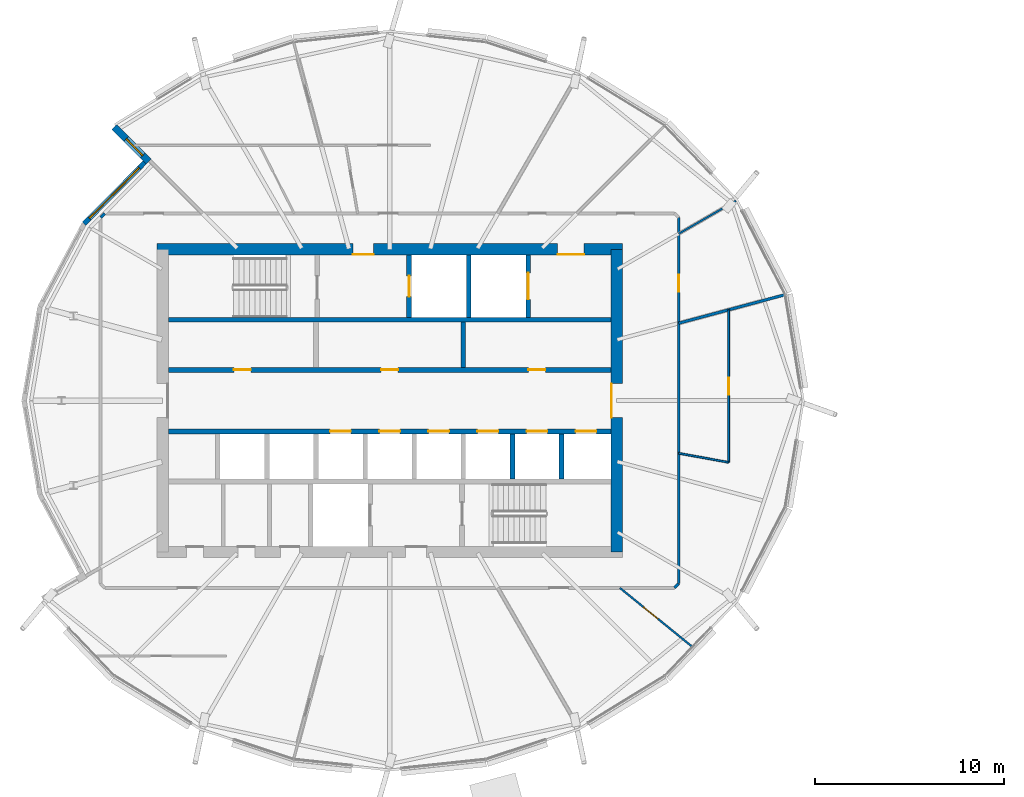
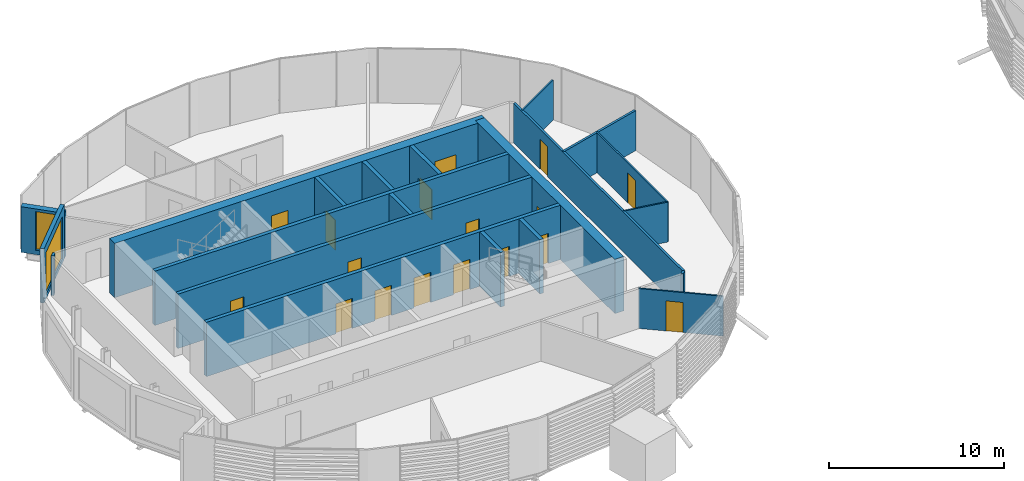
# One storey, part 20 of 38: 21 walls, 17 doors, 2 windows, 19 openings.
"""IFC4 building model written with IfcOpenShell, lengths in metres."""

import ifcopenshell
import ifcopenshell.guid

model = None  # the IFC model being written
_history = None  # IfcOwnerHistory: only IFC2X3 demands one
_inside = {}  # id of a spatial element -> (the spatial element, [elements in it])
_under = {}  # id of a project, library or spatial element -> (it, [spatial elements below it])
_declared = {}  # id of a project -> (the project, [libraries it declares])
_typed = {}  # id of a type object -> (the type object, [elements of that type])
_made_of = {}  # id of a material, layer set ... -> (it, [elements and type objects made of it])


def new_model(schema):
    """Start an empty IFC model of exactly this schema.

    Asked for "IFC4X3", IfcOpenShell would pick the latest addendum, in which some entities
    have other attributes; the version numbers below select the first issue.
    IFC2X3 requires an IfcOwnerHistory on every rooted entity: one is made here for all.
    """
    global model, _history
    if schema == "IFC4X3":
        model = ifcopenshell.file(schema_version=(4, 3, 0, 0))
    else:
        model = ifcopenshell.file(schema=schema)
    _inside.clear()
    _under.clear()
    _declared.clear()
    _typed.clear()
    _made_of.clear()
    _history = None
    if model.schema == "IFC2X3":
        org = make("IfcOrganization", Name="unknown")
        user = make(
            "IfcPersonAndOrganization",
            ThePerson=make("IfcPerson", FamilyName="unknown"),
            TheOrganization=org,
        )
        app = make(
            "IfcApplication",
            ApplicationDeveloper=org,
            Version="unknown",
            ApplicationFullName="unknown",
            ApplicationIdentifier="unknown",
        )
        _history = make(
            "IfcOwnerHistory",
            OwningUser=user,
            OwningApplication=app,
            ChangeAction="ADDED",
            CreationDate=0,
        )
    return model


def make(cls, **values):
    """One entity of the class cls with the attributes given. An attribute that is None is left unset."""
    return model.create_entity(
        cls, **{name: value for name, value in values.items() if value is not None}
    )


def rooted(cls, **values):
    """An entity with a GlobalId (a new one), such as an element, a storey or a relation."""
    return make(cls, GlobalId=ifcopenshell.guid.new(), OwnerHistory=_history, **values)


def si_unit(unit_type, name, prefix=None):
    """IfcSIUnit, for example si_unit("LENGTHUNIT", "METRE", prefix="MILLI")."""
    return make("IfcSIUnit", UnitType=unit_type, Prefix=prefix, Name=name)


def assignment(units):
    """IfcUnitAssignment: the units of a project."""
    return None if units is None else make("IfcUnitAssignment", Units=units)


def point(xyz):
    """IfcCartesianPoint."""
    return None if xyz is None else make("IfcCartesianPoint", Coordinates=xyz)


def direction(xyz):
    """IfcDirection."""
    return None if xyz is None else make("IfcDirection", DirectionRatios=xyz)


def frame(location, z_axis=None, x_axis=None):
    """IfcAxis2Placement3D, a coordinate frame: its origin and axes. An axis left out is left unset."""
    return make(
        "IfcAxis2Placement3D",
        Location=point(location),
        Axis=direction(z_axis),
        RefDirection=direction(x_axis),
    )


def frame_2d(location, x_axis=None):
    """IfcAxis2Placement2D, a coordinate frame in the plane: its origin and x axis."""
    return make(
        "IfcAxis2Placement2D", Location=point(location), RefDirection=direction(x_axis)
    )


def origin():
    """The frame at (0, 0, 0) with its axes left unset."""
    return frame((0.0, 0.0, 0.0))


def place(relative_to, where):
    """IfcLocalPlacement: puts the frame where relative to a parent placement (None: the world)."""
    return make(
        "IfcLocalPlacement", PlacementRelTo=relative_to, RelativePlacement=where
    )


def context(
    kind, dimensions, precision=None, world=None, true_north=None, identifier=None
):
    """IfcGeometricRepresentationContext, for example the 3D "Model" context."""
    return make(
        "IfcGeometricRepresentationContext",
        ContextIdentifier=identifier,
        ContextType=kind,
        CoordinateSpaceDimension=dimensions,
        Precision=precision,
        WorldCoordinateSystem=world,
        TrueNorth=true_north,
    )


def subcontext(parent, identifier, kind, view, scale=None):
    """IfcGeometricRepresentationSubContext, for example "Body" below "Model"."""
    return make(
        "IfcGeometricRepresentationSubContext",
        ContextIdentifier=identifier,
        ContextType=kind,
        ParentContext=parent,
        TargetScale=scale,
        TargetView=view,
    )


def project(units=None, contexts=None):
    """IfcProject with its units and contexts."""
    return rooted(
        "IfcProject",
        Name="project",
        RepresentationContexts=contexts,
        UnitsInContext=assignment(units),
    )


def spatial(cls, under=None, at=None, **own):
    """A site, building, storey or space (cls), placed at a placement, below another one or the project."""
    s = rooted(cls, ObjectPlacement=at, **own)
    if under is not None:
        _under.setdefault(under.id(), (under, []))[1].append(s)
    return s


def profile(cls, at=None, kind="AREA", **sizes):
    """A parametric profile (cls). Its sizes go by their IFC names, for example OverallWidth=200.0."""
    return make(cls, ProfileType=kind, Position=at, **sizes)


def rectangle(**sizes):
    """IfcRectangleProfileDef."""
    return profile("IfcRectangleProfileDef", **sizes)


def extrude(swept, where, along, depth):
    """IfcExtrudedAreaSolid: the profile swept, set in the frame where, extruded along a direction by depth."""
    return make(
        "IfcExtrudedAreaSolid",
        SweptArea=swept,
        Position=where,
        ExtrudedDirection=direction(along),
        Depth=depth,
    )


def shape(context_of_items, identifier, shape_type, items):
    """IfcShapeRepresentation: the items that make up one representation, for example the "Body"."""
    return make(
        "IfcShapeRepresentation",
        ContextOfItems=context_of_items,
        RepresentationIdentifier=identifier,
        RepresentationType=shape_type,
        Items=items,
    )


def material(Name=None, Category=None):
    """IfcMaterial."""
    return make("IfcMaterial", Name=Name, Category=Category)


def layer(
    of_material, thickness, ventilated=None, Name=None, Category=None, Priority=None
):
    """IfcMaterialLayer: one layer of a wall or slab, of a material (None: an air gap)."""
    return make(
        "IfcMaterialLayer",
        Material=of_material,
        LayerThickness=thickness,
        IsVentilated=ventilated,
        Name=Name,
        Category=Category,
        Priority=Priority,
    )


def layer_set(layers, Name=None):
    """IfcMaterialLayerSet."""
    return make("IfcMaterialLayerSet", MaterialLayers=layers, LayerSetName=Name)


def made_of(thing, what):
    """Note that an element or type object is made of a material, layer set ...; save() writes the relation."""
    if what is not None:
        _made_of.setdefault(what.id(), (what, []))[1].append(thing)
    return thing


def type_object(cls, material=None, **own):
    """A type object (cls), such as IfcWallType, which elements share."""
    return made_of(rooted(cls, **own), material)


def element(
    cls,
    number,
    at=None,
    inside=None,
    cuts=None,
    type_object=None,
    material=None,
    context=None,
    identifier="Body",
    shape_type=None,
    held_by="IfcProductDefinitionShape",
    body=None,
    shapes=None,
    **own,
):
    """One element of the class cls, such as IfcWall. Its Tag is "e" and its number.

    at: its placement. inside: the storey or other place that contains it. cuts: it is an
    opening in that element (IfcRelVoidsElement). A single representation is given by context,
    identifier, shape_type and body (its items); several are given by shapes. held_by: the class
    of the entity that holds the representations. save() writes the other relations.
    """
    e = rooted(cls, Tag="e%d" % number, ObjectPlacement=at, **own)
    if body is not None:
        shapes = [shape(context, identifier, shape_type, body)]
    if shapes is not None:
        e.Representation = make(held_by, Representations=shapes)
    if inside is not None:
        _inside.setdefault(inside.id(), (inside, []))[1].append(e)
    if cuts is not None:
        rooted(
            "IfcRelVoidsElement", RelatingBuildingElement=cuts, RelatedOpeningElement=e
        )
    if type_object is not None:
        _typed.setdefault(type_object.id(), (type_object, []))[1].append(e)
    return made_of(e, material)


def fill(opening, filler):
    """IfcRelFillsElement: the door or window that sits in an opening."""
    return rooted(
        "IfcRelFillsElement",
        RelatingOpeningElement=opening,
        RelatedBuildingElement=filler,
    )


def aggregate(whole, parts):
    """IfcRelAggregates: a whole, such as a stair, and the parts it consists of."""
    return rooted("IfcRelAggregates", RelatingObject=whole, RelatedObjects=parts)


def save(model, path):
    """Write the relations noted so far, then the file.

    IfcRelAggregates (storeys below a building ...), IfcRelContainedInSpatialStructure (elements
    in a storey), IfcRelDefinesByType, IfcRelAssociatesMaterial and IfcRelDeclares: one each for
    every whole, place, type object, material and project.
    """
    for whole, parts in _under.values():
        aggregate(whole, parts)
    for where, things in _inside.values():
        rooted(
            "IfcRelContainedInSpatialStructure",
            RelatedElements=things,
            RelatingStructure=where,
        )
    for kind, things in _typed.values():
        rooted("IfcRelDefinesByType", RelatedObjects=things, RelatingType=kind)
    for what, things in _made_of.values():
        rooted("IfcRelAssociatesMaterial", RelatedObjects=things, RelatingMaterial=what)
    for by, libraries in _declared.values():
        rooted("IfcRelDeclares", RelatingContext=by, RelatedDefinitions=libraries)
    model.write(path)


model = new_model("IFC4")

# Units and contexts
model_context = context("Model", 3, precision=1e-05, world=origin(), true_north=direction((0.0, 1.0)))
body_context = subcontext(model_context, "Body", "Model", "MODEL_VIEW")
ifc_project = project(units=[si_unit("LENGTHUNIT", "METRE"), si_unit("AREAUNIT", "SQUARE_METRE"), si_unit("VOLUMEUNIT", "CUBIC_METRE"), si_unit("PLANEANGLEUNIT", "RADIAN"), si_unit("MASSUNIT", "GRAM", prefix="KILO")], contexts=[model_context])

# Site, building, storey
site_placement = place(None, origin())
site = spatial("IfcSite", under=ifc_project, at=site_placement, CompositionType="ELEMENT")
building_placement = place(site_placement, origin())
building = spatial("IfcBuilding", under=site, at=building_placement, Name="Rimbun Link Towers", CompositionType="ELEMENT")
storey_placement = place(building_placement, frame((0.0, 0.0, 185.5)))
storey = spatial("IfcBuildingStorey", under=building, at=storey_placement, Name="L45", CompositionType="ELEMENT", Elevation=185.5)

# Wall, opening, window
ifc_material_1 = material(Name="Dark enamelled glass spandrel on insulated aluminium backpan", Category="aluminium")
ifc_layer_1 = layer(ifc_material_1, 0.25)
ifc_layer_set_1 = layer_set([ifc_layer_1], Name="CS dark enamelled spandrel wall 250")
wall_type_1 = type_object("IfcWallType", Name="CS dark enamelled spandrel wall 250", PredefinedType="STANDARD", material=ifc_layer_set_1)
wall_1_placement = place(storey_placement, frame((-47.9072265625, 9.344482421875, 0.0), z_axis=(0.0, 0.0, 1.0), x_axis=(0.703167111014, 0.711024622631, 0.0)))
wall_1 = element("IfcWall", 1, at=wall_1_placement, inside=storey, type_object=wall_type_1, Name="Crease spandrel wall", PredefinedType="STANDARD", context=body_context, shape_type="SweptSolid", body=[
    extrude(rectangle(XDim=4.5673828125, YDim=0.25, at=frame_2d((2.28369140625, 0.0))), origin(), (0.0, 0.0, 1.0), 3.800048828125),
])
opening_1_placement = place(wall_1_placement, frame((0.40869140625, 0.0, 0.300048828125)))
opening_1 = element("IfcOpeningElement", 2, at=opening_1_placement, cuts=wall_1, Name="Opening WR38H295", PredefinedType="OPENING", context=body_context, shape_type="SweptSolid", body=[
    extrude(rectangle(XDim=3.75, YDim=2.949951171875, at=frame_2d((1.875, 1.47509765625))), frame((0.0, 0.135009765625, 0.0), z_axis=(0.0, -1.0, 0.0), x_axis=(1.0, 0.0, 0.0)), (0.0, 0.0, 1.0), 0.27001953125),
])
ifc_material_2 = material(Name="Aluminium framed fixed window, dark tinted low-e glass", Category="aluminium")
window_type_1 = type_object("IfcWindowType", Name="WR ribbon window 3750X2950", PartitioningType="SINGLE_PANEL", PredefinedType="WINDOW", material=ifc_material_2)
window_1_placement = place(opening_1_placement, origin())
window_1 = element("IfcWindow", 3, at=window_1_placement, inside=storey, type_object=window_type_1, Name="Crease ribbon window", OverallHeight=2.949951171875, OverallWidth=3.75, PartitioningType="SINGLE_PANEL", PredefinedType="WINDOW", context=body_context, shape_type="SweptSolid", body=[
    extrude(rectangle(XDim=3.75, YDim=2.949951171875, at=frame_2d((1.875, 1.47509765625))), frame((0.0, 0.030029296875, 0.0), z_axis=(0.0, -1.0, 0.0), x_axis=(1.0, 0.0, 0.0)), (0.0, 0.0, 1.0), 0.06005859375),
])
fill(opening_1, window_1)

ifc_material_3 = material(Name="Dark enamelled glass spandrel on insulated aluminium backpan", Category="aluminium")
ifc_layer_2 = layer(ifc_material_3, 0.3701171875)
ifc_layer_set_2 = layer_set([ifc_layer_2], Name="CS dark enamelled spandrel wall 370")
wall_type_2 = type_object("IfcWallType", Name="CS dark enamelled spandrel wall 370", PredefinedType="STANDARD", material=ifc_layer_set_2)
wall_2_placement = place(storey_placement, frame((-44.477294921875, 12.63525390625, 0.0), z_axis=(0.0, 0.0, 1.0), x_axis=(-0.707059465667, 0.70715409354, 0.0)))
wall_2 = element("IfcWall", 4, at=wall_2_placement, inside=storey, type_object=wall_type_2, Name="Crease spandrel wall", PredefinedType="STANDARD", context=body_context, shape_type="SweptSolid", body=[
    extrude(rectangle(XDim=2.580078125, YDim=0.3701171875, at=frame_2d((1.2900390625, 0.0))), origin(), (0.0, 0.0, 1.0), 3.1865234375),
])
opening_2_placement = place(wall_2_placement, frame((0.447265625, 0.0, 0.300048828125)))
opening_2 = element("IfcOpeningElement", 5, at=opening_2_placement, cuts=wall_2, Name="Opening WR12H270", PredefinedType="OPENING", context=body_context, shape_type="SweptSolid", body=[
    extrude(rectangle(XDim=1.25, YDim=2.699951171875, at=frame_2d((0.625, 1.35009765625))), frame((0.0, 0.195068359375, 0.0), z_axis=(0.0, -1.0, 0.0), x_axis=(1.0, 0.0, 0.0)), (0.0, 0.0, 1.0), 0.39013671875),
])
ifc_material_4 = material(Name="Aluminium framed fixed window, dark tinted low-e glass", Category="aluminium")
window_type_2 = type_object("IfcWindowType", Name="WR ribbon window 1250X2700", PartitioningType="SINGLE_PANEL", PredefinedType="WINDOW", material=ifc_material_4)
window_2_placement = place(opening_2_placement, origin())
window_2 = element("IfcWindow", 6, at=window_2_placement, inside=storey, type_object=window_type_2, Name="Crease ribbon window", OverallHeight=2.699951171875, OverallWidth=1.25, PartitioningType="SINGLE_PANEL", PredefinedType="WINDOW", context=body_context, shape_type="SweptSolid", body=[
    extrude(rectangle(XDim=1.25, YDim=2.699951171875, at=frame_2d((0.625, 1.35009765625))), frame((0.0, 0.030029296875, 0.0), z_axis=(0.0, -1.0, 0.0), x_axis=(1.0, 0.0, 0.0)), (0.0, 0.0, 1.0), 0.06005859375),
])
fill(opening_2, window_2)

# Wall, openings, doors
ifc_material_5 = material(Name="Concrete C60/75", Category="concrete")
ifc_layer_3 = layer(ifc_material_5, 0.60009765625)
ifc_layer_set_3 = layer_set([ifc_layer_3], Name="Core shear wall 600")
wall_type_3 = type_object("IfcWallType", Name="Core shear wall 600", PredefinedType="SHEAR", material=ifc_layer_set_3)
wall_3_placement = place(storey_placement, frame((-44.050048828125, 8.0, 0.0), z_axis=(0.0, 0.0, 1.0), x_axis=(1.0, 0.0, 0.0)))
wall_3 = element("IfcWall", 7, at=wall_3_placement, inside=storey, type_object=wall_type_3, Name="L45 T1 core wall N", PredefinedType="SHEAR", context=body_context, shape_type="SweptSolid", body=[
    extrude(rectangle(XDim=24.60009765625, YDim=0.60009765625, at=frame_2d((12.300048828125, 0.0))), origin(), (0.0, 0.0, 1.0), 3.800048828125),
])
opening_3_placement = place(wall_3_placement, frame((10.35009765625, 0.0, 0.0)))
opening_3 = element("IfcOpeningElement", 8, at=opening_3_placement, cuts=wall_3, Name="Opening C1DCF01N", PredefinedType="OPENING", context=body_context, shape_type="SweptSolid", body=[
    extrude(rectangle(XDim=1.10009765625, YDim=2.10009765625, at=frame_2d((0.550048828125, 1.050048828125))), frame((0.0, 0.31005859375, 0.0), z_axis=(0.0, -1.0, 0.0), x_axis=(1.0, 0.0, 0.0)), (0.0, 0.0, 1.0), 0.6201171875),
])
opening_4_placement = place(wall_3_placement, frame((21.175048828125, 0.0, 0.0)))
opening_4 = element("IfcOpeningElement", 9, at=opening_4_placement, cuts=wall_3, Name="Opening C1DSL02N", PredefinedType="OPENING", context=body_context, shape_type="SweptSolid", body=[
    extrude(rectangle(XDim=1.39990234375, YDim=2.10009765625, at=frame_2d((0.699951171875, 1.050048828125))), frame((0.0, 0.31005859375, 0.0), z_axis=(0.0, -1.0, 0.0), x_axis=(1.0, 0.0, 0.0)), (0.0, 0.0, 1.0), 0.6201171875),
])
ifc_material_6 = material(Name="Steel fire door set", Category="steel")
door_type_1 = type_object("IfcDoorType", Name="Core fire door single", OperationType="SINGLE_SWING_LEFT", PredefinedType="DOOR", material=ifc_material_6)
door_1_placement = place(opening_3_placement, origin())
door_1 = element("IfcDoor", 10, at=door_1_placement, inside=storey, type_object=door_type_1, Name="L45 T1 firefighting lobby n door", OperationType="SINGLE_SWING_RIGHT", OverallHeight=2.10009765625, OverallWidth=1.10009765625, PredefinedType="DOOR", context=body_context, shape_type="SweptSolid", body=[
    extrude(rectangle(XDim=1.10009765625, YDim=2.10009765625, at=frame_2d((0.550048828125, 1.050048828125))), frame((0.0, -0.25, 0.0), z_axis=(0.0, -1.0, 0.0), x_axis=(1.0, 0.0, 0.0)), (0.0, 0.0, 1.0), 0.050048828125),
])
fill(opening_3, door_1)
ifc_material_7 = material(Name="Steel fire door set", Category="steel")
door_type_2 = type_object("IfcDoorType", Name="Service lobby door double", OperationType="DOUBLE_DOOR_SINGLE_SWING", PredefinedType="DOOR", material=ifc_material_7)
door_2_placement = place(opening_4_placement, origin())
door_2 = element("IfcDoor", 11, at=door_2_placement, inside=storey, type_object=door_type_2, Name="L45 T1 service lobby door", OperationType="DOUBLE_DOOR_SINGLE_SWING", OverallHeight=2.10009765625, OverallWidth=1.39990234375, PredefinedType="DOOR", context=body_context, shape_type="SweptSolid", body=[
    extrude(rectangle(XDim=1.39990234375, YDim=2.10009765625, at=frame_2d((0.699951171875, 1.050048828125))), frame((0.0, -0.25, 0.0), z_axis=(0.0, -1.0, 0.0), x_axis=(1.0, 0.0, 0.0)), (0.0, 0.0, 1.0), 0.050048828125),
])
fill(opening_4, door_2)

# Wall, opening, door
wall_4_placement = place(storey_placement, frame((-19.75, -8.0, 0.0), z_axis=(0.0, 0.0, 1.0), x_axis=(0.0, 1.0, 0.0)))
wall_4 = element("IfcWall", 12, at=wall_4_placement, inside=storey, type_object=wall_type_3, Name="L45 T1 core wall E", PredefinedType="SHEAR", context=body_context, shape_type="SweptSolid", body=[
    extrude(rectangle(XDim=16.0, YDim=0.60009765625, at=frame_2d((8.0, 0.0))), origin(), (0.0, 0.0, 1.0), 3.800048828125),
])
opening_5_placement = place(wall_4_placement, frame((7.10009765625, 0.0, 0.0)))
opening_5 = element("IfcOpeningElement", 13, at=opening_5_placement, cuts=wall_4, Name="Opening C1DCL01E", PredefinedType="OPENING", context=body_context, shape_type="SweptSolid", body=[
    extrude(rectangle(XDim=1.800048828125, YDim=2.10009765625, at=frame_2d((0.89990234375, 1.050048828125))), frame((0.0, 0.31005859375, 0.0), z_axis=(0.0, -1.0, 0.0), x_axis=(1.0, 0.0, 0.0)), (0.0, 0.0, 1.0), 0.6201171875),
])
ifc_material_8 = material(Name="Steel fire door set", Category="steel")
door_type_3 = type_object("IfcDoorType", Name="Core lobby door double", OperationType="DOUBLE_DOOR_SINGLE_SWING", PredefinedType="DOOR", material=ifc_material_8)
door_3_placement = place(opening_5_placement, origin())
door_3 = element("IfcDoor", 14, at=door_3_placement, inside=storey, type_object=door_type_3, Name="L45 T1 lift lobby door", OperationType="DOUBLE_DOOR_SINGLE_SWING", OverallHeight=2.10009765625, OverallWidth=1.800048828125, PredefinedType="DOOR", context=body_context, shape_type="SweptSolid", body=[
    extrude(rectangle(XDim=1.800048828125, YDim=2.10009765625, at=frame_2d((0.89990234375, 1.050048828125))), frame((0.0, 0.2998046875, 0.0), z_axis=(0.0, -1.0, 0.0), x_axis=(1.0, 0.0, 0.0)), (0.0, 0.0, 1.0), 0.050048828125),
])
fill(opening_5, door_3)

ifc_material_9 = material(Name="Plasterboard on steel stud, mineral wool", Category="steel")
ifc_layer_4 = layer(ifc_material_9, 0.14990234375)
ifc_layer_set_4 = layer_set([ifc_layer_4], Name="Corridor wall EI 30 150 mm")
wall_type_4 = type_object("IfcWallType", Name="Corridor wall EI 30 150 mm", PredefinedType="PARTITIONING", material=ifc_layer_set_4)
wall_5_placement = place(storey_placement, frame((-16.47509765625, 9.673583984375, 0.0), z_axis=(0.0, 0.0, 1.0), x_axis=(0.0, -1.0, 0.0)))
wall_5 = element("IfcWall", 15, at=wall_5_placement, inside=storey, type_object=wall_type_4, Name="Corridor wall EI 30 150 mm", PredefinedType="PARTITIONING", context=body_context, shape_type="SweptSolid", body=[
    extrude(rectangle(XDim=19.34716796875, YDim=0.14990234375, at=frame_2d((9.673583984375, 0.0))), origin(), (0.0, 0.0, 1.0), 2.7890625),
])
opening_6_placement = place(wall_5_placement, frame((3.01220703125, 0.0, 0.0)))
opening_6 = element("IfcOpeningElement", 16, at=opening_6_placement, cuts=wall_5, Name="Opening D02", PredefinedType="OPENING", context=body_context, shape_type="SweptSolid", body=[
    extrude(rectangle(XDim=0.89990234375, YDim=2.10009765625, at=frame_2d((0.449951171875, 1.050048828125))), frame((0.0, 0.0849609375, 0.0), z_axis=(0.0, -1.0, 0.0), x_axis=(1.0, 0.0, 0.0)), (0.0, 0.0, 1.0), 0.169921875),
])
ifc_material_10 = material(Name="Fire-resisting timber door leaf", Category="wood")
door_type_4 = type_object("IfcDoorType", Name="Fire door FD30S 900", OperationType="NOTDEFINED", PredefinedType="DOOR", material=ifc_material_10)
door_4_placement = place(opening_6_placement, origin())
door_4 = element("IfcDoor", 17, at=door_4_placement, inside=storey, type_object=door_type_4, Name="Fire door FD30S 900 to Cellular office", OperationType="SINGLE_SWING_LEFT", OverallHeight=2.10009765625, OverallWidth=0.89990234375, PredefinedType="DOOR", context=body_context, shape_type="SweptSolid", body=[
    extrude(rectangle(XDim=0.89990234375, YDim=2.10009765625, at=frame_2d((0.449951171875, 1.050048828125))), frame((0.0, 0.02490234375, 0.0), z_axis=(0.0, -1.0, 0.0), x_axis=(1.0, 0.0, 0.0)), (0.0, 0.0, 1.0), 0.050048828125),
])
fill(opening_6, door_4)

# Walls
for number, where, z_axis, x_axis, name in (
    (18, (-16.6962890625, -9.89501953125, 0.0), (0.0, 0.0, 1.0), (0.706716653396, 0.707496693853, 0.0), "Corridor wall EI 30 150 mm"),
    (19, (-46.8037109375, 9.89501953125, 0.0), (0.0, 0.0, 1.0), (-0.706716653396, -0.707496693853, 0.0), "Corridor wall EI 30 150 mm"),
):
    element("IfcWall", number, at=place(storey_placement, frame(where, z_axis=z_axis, x_axis=x_axis)), inside=storey, type_object=wall_type_4, Name=name, PredefinedType="PARTITIONING", context=body_context, shape_type="SweptSolid", body=[
        extrude(rectangle(XDim=0.31298828125, YDim=0.14990234375, at=frame_2d((0.156494140625, 0.0))), origin(), (0.0, 0.0, 1.0), 2.7890625),
    ])

# Wall, opening, door
ifc_material_11 = material(Name="Plasterboard on steel stud", Category="steel")
ifc_layer_5 = layer(ifc_material_11, 0.10009765625)
ifc_layer_set_5 = layer_set([ifc_layer_5], Name="Plasterboard partition 100 mm")
wall_type_5 = type_object("IfcWallType", Name="Plasterboard partition 100 mm", PredefinedType="PARTITIONING", material=ifc_layer_set_5)
wall_6_placement = place(storey_placement, frame((-19.584228515625, -9.89501953125, 0.0), z_axis=(0.0, 0.0, 1.0), x_axis=(0.775776170633, -0.631008187805, 0.0)))
wall_6 = element("IfcWall", 20, at=wall_6_placement, inside=storey, type_object=wall_type_5, Name="Plasterboard partition 100 mm", PredefinedType="PARTITIONING", context=body_context, shape_type="SweptSolid", body=[
    extrude(rectangle(XDim=4.93115234375, YDim=0.10009765625, at=frame_2d((2.465576171875, 0.0))), origin(), (0.0, 0.0, 1.0), 2.7890625),
])
opening_7_placement = place(wall_6_placement, frame((1.592041015625, 0.0, 0.0)))
opening_7 = element("IfcOpeningElement", 21, at=opening_7_placement, cuts=wall_6, Name="Opening D03", PredefinedType="OPENING", context=body_context, shape_type="SweptSolid", body=[
    extrude(rectangle(XDim=1.0, YDim=2.10009765625, at=frame_2d((0.5, 1.050048828125))), frame((0.0, 0.06005859375, 0.0), z_axis=(0.0, -1.0, 0.0), x_axis=(1.0, 0.0, 0.0)), (0.0, 0.0, 1.0), 0.1201171875),
])
ifc_material_12 = material(Name="Timber door leaf", Category="wood")
door_type_5 = type_object("IfcDoorType", Name="Flush door 1000", OperationType="NOTDEFINED", PredefinedType="DOOR", material=ifc_material_12)
door_5_placement = place(opening_7_placement, origin())
door_5 = element("IfcDoor", 22, at=door_5_placement, inside=storey, type_object=door_type_5, Name="Flush door 1000 to Trading floor", OperationType="SINGLE_SWING_RIGHT", OverallHeight=2.10009765625, OverallWidth=1.0, PredefinedType="DOOR", context=body_context, shape_type="SweptSolid", body=[
    extrude(rectangle(XDim=1.0, YDim=2.10009765625, at=frame_2d((0.5, 1.050048828125))), frame((0.0, 0.02490234375, 0.0), z_axis=(0.0, -1.0, 0.0), x_axis=(1.0, 0.0, 0.0)), (0.0, 0.0, 1.0), 0.050048828125),
])
fill(opening_7, door_5)

wall_7_placement = place(storey_placement, frame((-13.8349609375, -3.26220703125, 0.0), z_axis=(0.0, 0.0, 1.0), x_axis=(0.0, 1.0, 0.0)))
wall_7 = element("IfcWall", 23, at=wall_7_placement, inside=storey, type_object=wall_type_5, Name="Plasterboard partition 100 mm", PredefinedType="PARTITIONING", context=body_context, shape_type="SweptSolid", body=[
    extrude(rectangle(XDim=8.0625, YDim=0.10009765625, at=frame_2d((4.03125, 0.0))), origin(), (0.0, 0.0, 1.0), 2.7890625),
])
opening_8_placement = place(wall_7_placement, frame((3.581298828125, 0.0, 0.0)))
opening_8 = element("IfcOpeningElement", 24, at=opening_8_placement, cuts=wall_7, Name="Opening D04", PredefinedType="OPENING", context=body_context, shape_type="SweptSolid", body=[
    extrude(rectangle(XDim=0.89990234375, YDim=2.10009765625, at=frame_2d((0.449951171875, 1.050048828125))), frame((0.0, 0.06005859375, 0.0), z_axis=(0.0, -1.0, 0.0), x_axis=(1.0, 0.0, 0.0)), (0.0, 0.0, 1.0), 0.1201171875),
])
ifc_material_13 = material(Name="Timber door leaf", Category="wood")
door_type_6 = type_object("IfcDoorType", Name="Flush door 900", OperationType="NOTDEFINED", PredefinedType="DOOR", material=ifc_material_13)
door_6_placement = place(opening_8_placement, origin())
door_6 = element("IfcDoor", 25, at=door_6_placement, inside=storey, type_object=door_type_6, Name="Flush door 900 to Communications room", OperationType="SINGLE_SWING_RIGHT", OverallHeight=2.10009765625, OverallWidth=0.89990234375, PredefinedType="DOOR", context=body_context, shape_type="SweptSolid", body=[
    extrude(rectangle(XDim=0.89990234375, YDim=2.10009765625, at=frame_2d((0.449951171875, 1.050048828125))), frame((0.0, 0.02490234375, 0.0), z_axis=(0.0, -1.0, 0.0), x_axis=(1.0, 0.0, 0.0)), (0.0, 0.0, 1.0), 0.050048828125),
])
fill(opening_8, door_6)

# Walls
wall_8_placement = place(storey_placement, frame((-16.47509765625, -2.781494140625, 0.0), z_axis=(0.0, 0.0, 1.0), x_axis=(0.983824754229, -0.179133617632, 0.0)))
element("IfcWall", 26, at=wall_8_placement, inside=storey, type_object=wall_type_5, Name="Plasterboard partition 100 mm", PredefinedType="PARTITIONING", context=body_context, shape_type="SweptSolid", body=[
    extrude(rectangle(XDim=2.68359375, YDim=0.10009765625, at=frame_2d((1.341796875, 0.0))), origin(), (0.0, 0.0, 1.0), 2.7890625),
])
wall_9_placement = place(storey_placement, frame((-13.443115234375, 10.569580078125, 0.0), z_axis=(0.0, 0.0, 1.0), x_axis=(-0.866028815679, -0.499994090379, 0.0)))
element("IfcWall", 27, at=wall_9_placement, inside=storey, type_object=wall_type_5, Name="Plasterboard partition 100 mm", PredefinedType="PARTITIONING", context=body_context, shape_type="SweptSolid", body=[
    extrude(rectangle(XDim=3.5009765625, YDim=0.10009765625, at=frame_2d((1.75048828125, 0.0))), origin(), (0.0, 0.0, 1.0), 2.7890625),
])
ifc_material_14 = material(Name="Concrete C60/75", Category="concrete")
ifc_layer_6 = layer(ifc_material_14, 0.25)
ifc_layer_set_6 = layer_set([ifc_layer_6], Name="Shaft wall 250")
wall_type_6 = type_object("IfcWallType", Name="Shaft wall 250", PredefinedType="SHEAR", material=ifc_layer_set_6)
wall_10_placement = place(storey_placement, frame((-43.449951171875, 4.27490234375, 0.0), z_axis=(0.0, 0.0, 1.0), x_axis=(1.0, 0.0, 0.0)))
element("IfcWall", 28, at=wall_10_placement, inside=storey, type_object=wall_type_6, Name="L45 T1 core wall BN", PredefinedType="SHEAR", context=body_context, shape_type="SweptSolid", body=[
    extrude(rectangle(XDim=23.39990234375, YDim=0.25, at=frame_2d((11.699951171875, 0.0))), origin(), (0.0, 0.0, 1.0), 3.800048828125),
])

# Wall, openings, doors
wall_11_placement = place(storey_placement, frame((-43.449951171875, 1.625, 0.0), z_axis=(0.0, 0.0, 1.0), x_axis=(1.0, 0.0, 0.0)))
wall_11 = element("IfcWall", 29, at=wall_11_placement, inside=storey, type_object=wall_type_6, Name="L45 T1 core wall FN", PredefinedType="SHEAR", context=body_context, shape_type="SweptSolid", body=[
    extrude(rectangle(XDim=23.39990234375, YDim=0.25, at=frame_2d((11.699951171875, 0.0))), origin(), (0.0, 0.0, 1.0), 3.800048828125),
])
opening_9_placement = place(wall_11_placement, frame((3.466796875, 0.0, 0.0)))
opening_9 = element("IfcOpeningElement", 30, at=opening_9_placement, cuts=wall_11, Name="Opening C1DRS01FN", PredefinedType="OPENING", context=body_context, shape_type="SweptSolid", body=[
    extrude(rectangle(XDim=0.89990234375, YDim=2.10009765625, at=frame_2d((0.449951171875, 1.050048828125))), frame((0.0, 0.135009765625, 0.0), z_axis=(0.0, -1.0, 0.0), x_axis=(1.0, 0.0, 0.0)), (0.0, 0.0, 1.0), 0.27001953125),
])
opening_10_placement = place(wall_11_placement, frame((11.25, 0.0, 0.0)))
opening_10 = element("IfcOpeningElement", 31, at=opening_10_placement, cuts=wall_11, Name="Opening C1DRS02FN", PredefinedType="OPENING", context=body_context, shape_type="SweptSolid", body=[
    extrude(rectangle(XDim=0.89990234375, YDim=2.10009765625, at=frame_2d((0.449951171875, 1.050048828125))), frame((0.0, 0.135009765625, 0.0), z_axis=(0.0, -1.0, 0.0), x_axis=(1.0, 0.0, 0.0)), (0.0, 0.0, 1.0), 0.27001953125),
])
opening_11_placement = place(wall_11_placement, frame((19.033203125, 0.0, 0.0)))
opening_11 = element("IfcOpeningElement", 32, at=opening_11_placement, cuts=wall_11, Name="Opening C1DRS03FN", PredefinedType="OPENING", context=body_context, shape_type="SweptSolid", body=[
    extrude(rectangle(XDim=0.89990234375, YDim=2.10009765625, at=frame_2d((0.449951171875, 1.050048828125))), frame((0.0, 0.135009765625, 0.0), z_axis=(0.0, -1.0, 0.0), x_axis=(1.0, 0.0, 0.0)), (0.0, 0.0, 1.0), 0.27001953125),
])
ifc_material_15 = material(Name="Steel fire door set", Category="steel")
door_type_7 = type_object("IfcDoorType", Name="Core riser door", OperationType="SINGLE_SWING_LEFT", PredefinedType="DOOR", material=ifc_material_15)
door_7_placement = place(opening_9_placement, origin())
door_7 = element("IfcDoor", 33, at=door_7_placement, inside=storey, type_object=door_type_7, Name="L45 T1 records store door", OperationType="SINGLE_SWING_LEFT", OverallHeight=2.10009765625, OverallWidth=0.89990234375, PredefinedType="DOOR", context=body_context, shape_type="SweptSolid", body=[
    extrude(rectangle(XDim=0.89990234375, YDim=2.10009765625, at=frame_2d((0.449951171875, 1.050048828125))), frame((0.0, 0.02490234375, 0.0), z_axis=(0.0, -1.0, 0.0), x_axis=(1.0, 0.0, 0.0)), (0.0, 0.0, 1.0), 0.050048828125),
])
fill(opening_9, door_7)
door_8_placement = place(opening_10_placement, origin())
door_8 = element("IfcDoor", 34, at=door_8_placement, inside=storey, type_object=door_type_7, Name="L45 T1 training store door", OperationType="SINGLE_SWING_LEFT", OverallHeight=2.10009765625, OverallWidth=0.89990234375, PredefinedType="DOOR", context=body_context, shape_type="SweptSolid", body=[
    extrude(rectangle(XDim=0.89990234375, YDim=2.10009765625, at=frame_2d((0.449951171875, 1.050048828125))), frame((0.0, 0.02490234375, 0.0), z_axis=(0.0, -1.0, 0.0), x_axis=(1.0, 0.0, 0.0)), (0.0, 0.0, 1.0), 0.050048828125),
])
fill(opening_10, door_8)
door_9_placement = place(opening_11_placement, origin())
door_9 = element("IfcDoor", 35, at=door_9_placement, inside=storey, type_object=door_type_7, Name="L45 T1 meeting pod door", OperationType="SINGLE_SWING_RIGHT", OverallHeight=2.10009765625, OverallWidth=0.89990234375, PredefinedType="DOOR", context=body_context, shape_type="SweptSolid", body=[
    extrude(rectangle(XDim=0.89990234375, YDim=2.10009765625, at=frame_2d((0.449951171875, 1.050048828125))), frame((0.0, 0.02490234375, 0.0), z_axis=(0.0, -1.0, 0.0), x_axis=(1.0, 0.0, 0.0)), (0.0, 0.0, 1.0), 0.050048828125),
])
fill(opening_11, door_9)

wall_12_placement = place(storey_placement, frame((-43.449951171875, -1.625, 0.0), z_axis=(0.0, 0.0, 1.0), x_axis=(1.0, 0.0, 0.0)))
wall_12 = element("IfcWall", 36, at=wall_12_placement, inside=storey, type_object=wall_type_6, Name="L45 T1 core wall FS", PredefinedType="SHEAR", context=body_context, shape_type="SweptSolid", body=[
    extrude(rectangle(XDim=23.39990234375, YDim=0.25, at=frame_2d((11.699951171875, 0.0))), origin(), (0.0, 0.0, 1.0), 3.800048828125),
])
opening_12_placement = place(wall_12_placement, frame((8.5556640625, 0.0, 0.0)))
opening_12 = element("IfcOpeningElement", 37, at=opening_12_placement, cuts=wall_12, Name="Opening LD-T1-HR1", PredefinedType="OPENING", context=body_context, shape_type="SweptSolid", body=[
    extrude(rectangle(XDim=1.10009765625, YDim=2.10009765625, at=frame_2d((0.550048828125, 1.050048828125))), frame((0.0, 0.135009765625, 0.0), z_axis=(0.0, -1.0, 0.0), x_axis=(1.0, 0.0, 0.0)), (0.0, 0.0, 1.0), 0.27001953125),
])
opening_13_placement = place(wall_12_placement, frame((11.14990234375, 0.0, 0.0)))
opening_13 = element("IfcOpeningElement", 38, at=opening_13_placement, cuts=wall_12, Name="Opening LD-T1-HR2", PredefinedType="OPENING", context=body_context, shape_type="SweptSolid", body=[
    extrude(rectangle(XDim=1.10009765625, YDim=2.10009765625, at=frame_2d((0.550048828125, 1.050048828125))), frame((0.0, 0.135009765625, 0.0), z_axis=(0.0, -1.0, 0.0), x_axis=(1.0, 0.0, 0.0)), (0.0, 0.0, 1.0), 0.27001953125),
])
opening_14_placement = place(wall_12_placement, frame((13.744384765625, 0.0, 0.0)))
opening_14 = element("IfcOpeningElement", 39, at=opening_14_placement, cuts=wall_12, Name="Opening LD-T1-HR3", PredefinedType="OPENING", context=body_context, shape_type="SweptSolid", body=[
    extrude(rectangle(XDim=1.10009765625, YDim=2.10009765625, at=frame_2d((0.550048828125, 1.050048828125))), frame((0.0, 0.135009765625, 0.0), z_axis=(0.0, -1.0, 0.0), x_axis=(1.0, 0.0, 0.0)), (0.0, 0.0, 1.0), 0.27001953125),
])
opening_15_placement = place(wall_12_placement, frame((16.3388671875, 0.0, 0.0)))
opening_15 = element("IfcOpeningElement", 40, at=opening_15_placement, cuts=wall_12, Name="Opening LD-T1-HR4", PredefinedType="OPENING", context=body_context, shape_type="SweptSolid", body=[
    extrude(rectangle(XDim=1.10009765625, YDim=2.10009765625, at=frame_2d((0.550048828125, 1.050048828125))), frame((0.0, 0.135009765625, 0.0), z_axis=(0.0, -1.0, 0.0), x_axis=(1.0, 0.0, 0.0)), (0.0, 0.0, 1.0), 0.27001953125),
])
opening_16_placement = place(wall_12_placement, frame((18.933349609375, 0.0, 0.0)))
opening_16 = element("IfcOpeningElement", 41, at=opening_16_placement, cuts=wall_12, Name="Opening LD-T1-HR5", PredefinedType="OPENING", context=body_context, shape_type="SweptSolid", body=[
    extrude(rectangle(XDim=1.10009765625, YDim=2.10009765625, at=frame_2d((0.550048828125, 1.050048828125))), frame((0.0, 0.135009765625, 0.0), z_axis=(0.0, -1.0, 0.0), x_axis=(1.0, 0.0, 0.0)), (0.0, 0.0, 1.0), 0.27001953125),
])
opening_17_placement = place(wall_12_placement, frame((21.52783203125, 0.0, 0.0)))
opening_17 = element("IfcOpeningElement", 42, at=opening_17_placement, cuts=wall_12, Name="Opening LD-T1-HR6", PredefinedType="OPENING", context=body_context, shape_type="SweptSolid", body=[
    extrude(rectangle(XDim=1.10009765625, YDim=2.10009765625, at=frame_2d((0.550048828125, 1.050048828125))), frame((0.0, 0.135009765625, 0.0), z_axis=(0.0, -1.0, 0.0), x_axis=(1.0, 0.0, 0.0)), (0.0, 0.0, 1.0), 0.27001953125),
])
ifc_material_16 = material(Name="Stainless steel grade 316", Category="steel")
door_type_8 = type_object("IfcDoorType", Name="Lift landing door", OperationType="DOUBLE_DOOR_SLIDING", PredefinedType="DOOR", material=ifc_material_16)
door_10_placement = place(opening_12_placement, origin())
door_10 = element("IfcDoor", 43, at=door_10_placement, inside=storey, type_object=door_type_8, Name="L45 T1 lift HR1 landing door", OperationType="DOUBLE_DOOR_SLIDING", OverallHeight=2.10009765625, OverallWidth=1.10009765625, PredefinedType="DOOR", context=body_context, shape_type="SweptSolid", body=[
    extrude(rectangle(XDim=1.10009765625, YDim=2.10009765625, at=frame_2d((0.550048828125, 1.050048828125))), frame((0.0, 0.02490234375, 0.0), z_axis=(0.0, -1.0, 0.0), x_axis=(1.0, 0.0, 0.0)), (0.0, 0.0, 1.0), 0.050048828125),
])
fill(opening_12, door_10)
door_11_placement = place(opening_13_placement, origin())
door_11 = element("IfcDoor", 44, at=door_11_placement, inside=storey, type_object=door_type_8, Name="L45 T1 lift HR2 landing door", OperationType="DOUBLE_DOOR_SLIDING", OverallHeight=2.10009765625, OverallWidth=1.10009765625, PredefinedType="DOOR", context=body_context, shape_type="SweptSolid", body=[
    extrude(rectangle(XDim=1.10009765625, YDim=2.10009765625, at=frame_2d((0.550048828125, 1.050048828125))), frame((0.0, 0.02490234375, 0.0), z_axis=(0.0, -1.0, 0.0), x_axis=(1.0, 0.0, 0.0)), (0.0, 0.0, 1.0), 0.050048828125),
])
fill(opening_13, door_11)
door_12_placement = place(opening_14_placement, origin())
door_12 = element("IfcDoor", 45, at=door_12_placement, inside=storey, type_object=door_type_8, Name="L45 T1 lift HR3 landing door", OperationType="DOUBLE_DOOR_SLIDING", OverallHeight=2.10009765625, OverallWidth=1.10009765625, PredefinedType="DOOR", context=body_context, shape_type="SweptSolid", body=[
    extrude(rectangle(XDim=1.10009765625, YDim=2.10009765625, at=frame_2d((0.550048828125, 1.050048828125))), frame((0.0, 0.02490234375, 0.0), z_axis=(0.0, -1.0, 0.0), x_axis=(1.0, 0.0, 0.0)), (0.0, 0.0, 1.0), 0.050048828125),
])
fill(opening_14, door_12)
door_13_placement = place(opening_15_placement, origin())
door_13 = element("IfcDoor", 46, at=door_13_placement, inside=storey, type_object=door_type_8, Name="L45 T1 lift HR4 landing door", OperationType="DOUBLE_DOOR_SLIDING", OverallHeight=2.10009765625, OverallWidth=1.10009765625, PredefinedType="DOOR", context=body_context, shape_type="SweptSolid", body=[
    extrude(rectangle(XDim=1.10009765625, YDim=2.10009765625, at=frame_2d((0.550048828125, 1.050048828125))), frame((0.0, 0.02490234375, 0.0), z_axis=(0.0, -1.0, 0.0), x_axis=(1.0, 0.0, 0.0)), (0.0, 0.0, 1.0), 0.050048828125),
])
fill(opening_15, door_13)
door_14_placement = place(opening_16_placement, origin())
door_14 = element("IfcDoor", 47, at=door_14_placement, inside=storey, type_object=door_type_8, Name="L45 T1 lift HR5 landing door", OperationType="DOUBLE_DOOR_SLIDING", OverallHeight=2.10009765625, OverallWidth=1.10009765625, PredefinedType="DOOR", context=body_context, shape_type="SweptSolid", body=[
    extrude(rectangle(XDim=1.10009765625, YDim=2.10009765625, at=frame_2d((0.550048828125, 1.050048828125))), frame((0.0, 0.02490234375, 0.0), z_axis=(0.0, -1.0, 0.0), x_axis=(1.0, 0.0, 0.0)), (0.0, 0.0, 1.0), 0.050048828125),
])
fill(opening_16, door_14)
door_15_placement = place(opening_17_placement, origin())
door_15 = element("IfcDoor", 48, at=door_15_placement, inside=storey, type_object=door_type_8, Name="L45 T1 lift HR6 landing door", OperationType="DOUBLE_DOOR_SLIDING", OverallHeight=2.10009765625, OverallWidth=1.10009765625, PredefinedType="DOOR", context=body_context, shape_type="SweptSolid", body=[
    extrude(rectangle(XDim=1.10009765625, YDim=2.10009765625, at=frame_2d((0.550048828125, 1.050048828125))), frame((0.0, 0.02490234375, 0.0), z_axis=(0.0, -1.0, 0.0), x_axis=(1.0, 0.0, 0.0)), (0.0, 0.0, 1.0), 0.050048828125),
])
fill(opening_17, door_15)

# Walls
for number, where, z_axis, x_axis, name in (
    (49, (-27.8583984375, 1.75, 0.0), (0.0, 0.0, 1.0), (0.0, 1.0, 0.0), "L45 T1 core wall DN5"),
    (50, (-25.263916015625, -4.14990234375, 0.0), (0.0, 0.0, 1.0), (0.0, 1.0, 0.0), "L45 T1 core wall DS6"),
    (51, (-22.66943359375, -4.14990234375, 0.0), (0.0, 0.0, 1.0), (0.0, 1.0, 0.0), "L45 T1 core wall DS7"),
):
    element("IfcWall", number, at=place(storey_placement, frame(where, z_axis=z_axis, x_axis=x_axis)), inside=storey, type_object=wall_type_6, Name=name, PredefinedType="SHEAR", context=body_context, shape_type="SweptSolid", body=[
        extrude(rectangle(XDim=2.39990234375, YDim=0.25, at=frame_2d((1.199951171875, 0.0))), origin(), (0.0, 0.0, 1.0), 3.800048828125),
    ])

# Wall, opening, door
wall_13_placement = place(storey_placement, frame((-30.72509765625, 4.39990234375, 0.0), z_axis=(0.0, 0.0, 1.0), x_axis=(0.0, 1.0, 0.0)))
wall_13 = element("IfcWall", 52, at=wall_13_placement, inside=storey, type_object=wall_type_6, Name="L45 T1 core wall A2", PredefinedType="SHEAR", context=body_context, shape_type="SweptSolid", body=[
    extrude(rectangle(XDim=3.300048828125, YDim=0.25, at=frame_2d((1.64990234375, 0.0))), origin(), (0.0, 0.0, 1.0), 3.800048828125),
])
opening_18_placement = place(wall_13_placement, frame((1.10009765625, 0.0, 0.0)))
opening_18 = element("IfcOpeningElement", 53, at=opening_18_placement, cuts=wall_13, Name="Opening LD-T1-FF1", PredefinedType="OPENING", context=body_context, shape_type="SweptSolid", body=[
    extrude(rectangle(XDim=1.10009765625, YDim=2.10009765625, at=frame_2d((0.550048828125, 1.050048828125))), frame((0.0, 0.135009765625, 0.0), z_axis=(0.0, -1.0, 0.0), x_axis=(1.0, 0.0, 0.0)), (0.0, 0.0, 1.0), 0.27001953125),
])
door_16_placement = place(opening_18_placement, origin())
door_16 = element("IfcDoor", 54, at=door_16_placement, inside=storey, type_object=door_type_8, Name="L45 T1 lift FF1 landing door", OperationType="DOUBLE_DOOR_SLIDING", OverallHeight=2.10009765625, OverallWidth=1.10009765625, PredefinedType="DOOR", context=body_context, shape_type="SweptSolid", body=[
    extrude(rectangle(XDim=1.10009765625, YDim=2.10009765625, at=frame_2d((0.550048828125, 1.050048828125))), frame((0.0, 0.02490234375, 0.0), z_axis=(0.0, -1.0, 0.0), x_axis=(1.0, 0.0, 0.0)), (0.0, 0.0, 1.0), 0.050048828125),
])
fill(opening_18, door_16)

# Wall
wall_14_placement = place(storey_placement, frame((-27.574951171875, 4.39990234375, 0.0), z_axis=(0.0, 0.0, 1.0), x_axis=(0.0, 1.0, 0.0)))
element("IfcWall", 55, at=wall_14_placement, inside=storey, type_object=wall_type_6, Name="L45 T1 core wall A3", PredefinedType="SHEAR", context=body_context, shape_type="SweptSolid", body=[
    extrude(rectangle(XDim=3.300048828125, YDim=0.25, at=frame_2d((1.64990234375, 0.0))), origin(), (0.0, 0.0, 1.0), 3.800048828125),
])

# Wall, opening, door
wall_15_placement = place(storey_placement, frame((-24.425048828125, 4.39990234375, 0.0), z_axis=(0.0, 0.0, 1.0), x_axis=(0.0, 1.0, 0.0)))
wall_15 = element("IfcWall", 56, at=wall_15_placement, inside=storey, type_object=wall_type_6, Name="L45 T1 core wall A4", PredefinedType="SHEAR", context=body_context, shape_type="SweptSolid", body=[
    extrude(rectangle(XDim=3.300048828125, YDim=0.25, at=frame_2d((1.64990234375, 0.0))), origin(), (0.0, 0.0, 1.0), 3.800048828125),
])
opening_19_placement = place(wall_15_placement, frame((0.949951171875, 0.0, 0.0)))
opening_19 = element("IfcOpeningElement", 57, at=opening_19_placement, cuts=wall_15, Name="Opening LD-T1-GL1", PredefinedType="OPENING", context=body_context, shape_type="SweptSolid", body=[
    extrude(rectangle(XDim=1.39990234375, YDim=2.10009765625, at=frame_2d((0.699951171875, 1.050048828125))), frame((0.0, 0.135009765625, 0.0), z_axis=(0.0, -1.0, 0.0), x_axis=(1.0, 0.0, 0.0)), (0.0, 0.0, 1.0), 0.27001953125),
])
ifc_material_17 = material(Name="Stainless steel grade 316", Category="steel")
door_type_9 = type_object("IfcDoorType", Name="Goods lift landing door", OperationType="DOUBLE_DOOR_SLIDING", PredefinedType="DOOR", material=ifc_material_17)
door_17_placement = place(opening_19_placement, origin())
door_17 = element("IfcDoor", 58, at=door_17_placement, inside=storey, type_object=door_type_9, Name="L45 T1 lift GL1 landing door", OperationType="DOUBLE_DOOR_SLIDING", OverallHeight=2.10009765625, OverallWidth=1.39990234375, PredefinedType="DOOR", context=body_context, shape_type="SweptSolid", body=[
    extrude(rectangle(XDim=1.39990234375, YDim=2.10009765625, at=frame_2d((0.699951171875, 1.050048828125))), frame((0.0, 0.02490234375, 0.0), z_axis=(0.0, -1.0, 0.0), x_axis=(1.0, 0.0, 0.0)), (0.0, 0.0, 1.0), 0.050048828125),
])
fill(opening_19, door_17)

# Wall
ifc_material_18 = material(Name="Plasterboard on steel stud, mineral wool", Category="steel")
ifc_layer_7 = layer(ifc_material_18, 0.14990234375)
ifc_layer_set_7 = layer_set([ifc_layer_7], Name="Tenancy separation wall EI 60 150 mm")
wall_type_7 = type_object("IfcWallType", Name="Tenancy separation wall EI 60 150 mm", PredefinedType="PARTITIONING", material=ifc_layer_set_7)
wall_16_placement = place(storey_placement, frame((-16.47509765625, 4.093017578125, 0.0), z_axis=(0.0, 0.0, 1.0), x_axis=(0.965935472204, 0.258783043374, 0.0)))
element("IfcWall", 59, at=wall_16_placement, inside=storey, type_object=wall_type_7, Name="Tenancy separation wall EI 60 150 mm", PredefinedType="PARTITIONING", context=body_context, shape_type="SweptSolid", body=[
    extrude(rectangle(XDim=5.803955078125, YDim=0.14990234375, at=frame_2d((2.90185546875, 0.0))), origin(), (0.0, 0.0, 1.0), 2.7890625),
])

save(model, "model.ifc")
